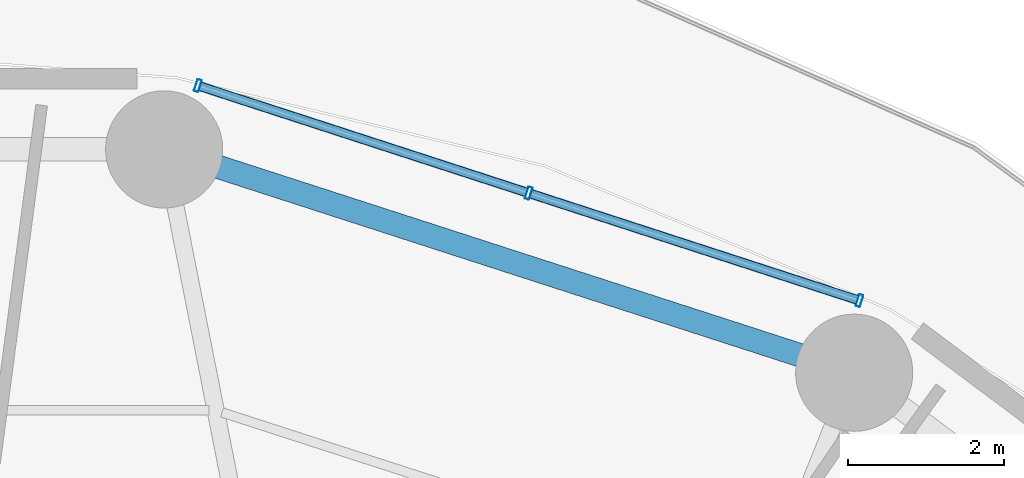
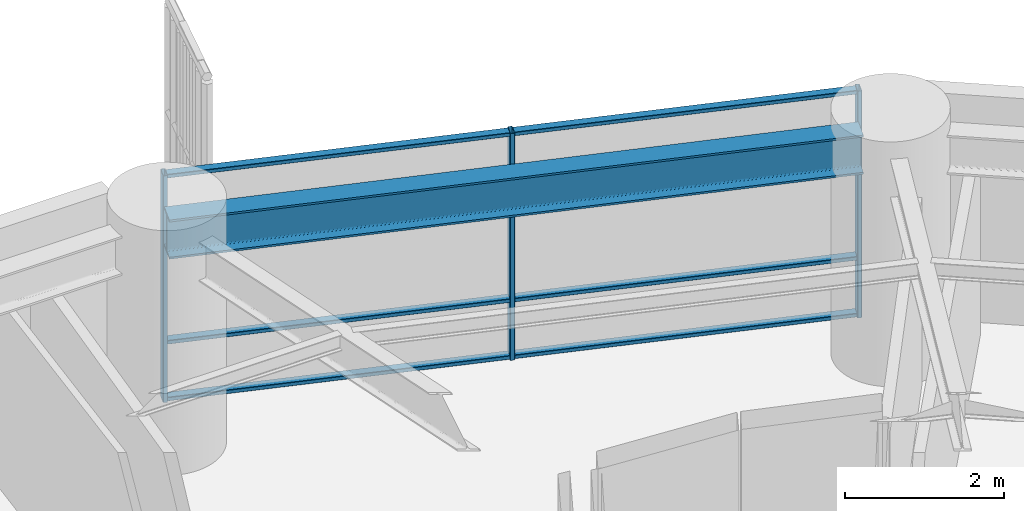
# One storey, part 21 of 32: 9 members, 1 beam, 1 element without a shape of its own.
"""IFC4 building model written with IfcOpenShell, lengths in metres."""

from ifc_helpers import new_model, si_unit, direction, frame, origin, origin_2d, place, context, subcontext, project, spatial, hollow_rectangle, i_section, extrude, material, layer, layer_set, material_profile, profile_set, type_object, element, aggregate, save


model = new_model("IFC4")

# Units and contexts
model_context = context("Model", 3, precision=1e-05, world=origin(), true_north=direction((0.0, 1.0)))
body_context = subcontext(model_context, "Body", "Model", "MODEL_VIEW")
ifc_project = project(units=[si_unit("LENGTHUNIT", "METRE"), si_unit("AREAUNIT", "SQUARE_METRE"), si_unit("VOLUMEUNIT", "CUBIC_METRE"), si_unit("PLANEANGLEUNIT", "RADIAN"), si_unit("MASSUNIT", "GRAM", prefix="KILO")], contexts=[model_context])

# Site, building, storey
site_placement = place(None, origin())
site = spatial("IfcSite", under=ifc_project, at=site_placement, CompositionType="ELEMENT")
building_placement = place(site_placement, origin())
building = spatial("IfcBuilding", under=site, at=building_placement, Name="Kelanora Arch Commons", CompositionType="ELEMENT")
storey_placement = place(building_placement, frame((0.0, 0.0, 52.5)))
storey = spatial("IfcBuildingStorey", under=building, at=storey_placement, Name="L13", CompositionType="ELEMENT", Elevation=52.5)

# Beam
ifc_material_1 = material(Name="Steel S355", Category="steel")
ifc_material_profile_1 = material_profile(ifc_material_1, i_section(OverallWidth=0.300048828125, OverallDepth=0.60009765625, WebThickness=0.015380859375, FlangeThickness=0.030029296875, FilletRadius=0.027099609375, at=origin_2d()), Name="HEB600")
ifc_profile_set_1 = profile_set([ifc_material_profile_1], Name="Steel S355")
beam_type = type_object("IfcBeamType", Name="BM-SPN-Z1", PredefinedType="SPANDREL", material=ifc_profile_set_1)
beam_placement = place(storey_placement, frame((87.178466796875, 78.970947265625, 3.18994140625), z_axis=(-0.951414770924, 0.307912217469, 0.0), x_axis=(-0.307912217469, -0.951414770924, 0.0)))
element("IfcBeam", 1, at=beam_placement, inside=storey, type_object=beam_type, Name="Perimeter Spandrel Beam BS-06 L13", PredefinedType="SPANDREL", context=body_context, shape_type="SweptSolid", body=[
    extrude(i_section(OverallWidth=0.300048828125, OverallDepth=0.60009765625, WebThickness=0.015380859375, FlangeThickness=0.030029296875, FilletRadius=0.027099609375, at=origin_2d()), origin(), (0.0, 0.0, 1.0), 8.908935546875),
])

# Curtain wall, members
ifc_material_2 = material(Name="Terracotta ceramic-fritted low-E glass and aluminium", Category="masonry")
ifc_layer = layer(ifc_material_2, 0.159912109375)
ifc_layer_set = layer_set([ifc_layer], Name="Terracotta ceramic-fritted low-E glass and aluminium")
curtain_wall_type = type_object("IfcCurtainWallType", Name="CW-SYS-01", PredefinedType="NOTDEFINED", material=ifc_layer_set)
curtain_wall_placement = place(storey_placement, origin())
curtain_wall = element("IfcCurtainWall", 2, at=curtain_wall_placement, inside=storey, type_object=curtain_wall_type, Name="Unitised Curtain Wall L13-B03", PredefinedType="NOTDEFINED")
ifc_material_3 = material(Name="Powder-coated aluminium terracotta", Category="masonry")
ifc_material_profile_2 = material_profile(ifc_material_3, hollow_rectangle(XDim=0.159912109375, YDim=0.06005859375, WallThickness=0.0048828125, InnerFilletRadius=0.0048828125, OuterFilletRadius=0.010009765625, at=origin_2d()), Name="CWM160x60")
ifc_profile_set_2 = profile_set([ifc_material_profile_2], Name="Powder-coated aluminium terracotta")
member_type_1 = type_object("IfcMemberType", Name="CWM-STD", PredefinedType="MULLION", material=ifc_profile_set_2)
member_1_placement = place(storey_placement, frame((87.607666015625, 79.778076171875, 0.0), z_axis=(0.0, 0.0, 1.0), x_axis=(-0.30905758454, -0.951043326793, 0.0)))
member_1 = element("IfcMember", 3, at=member_1_placement, type_object=member_type_1, Name="CW-01 mullion 1", PredefinedType="MULLION", context=body_context, shape_type="SweptSolid", body=[
    extrude(hollow_rectangle(XDim=0.159912109375, YDim=0.06005859375, WallThickness=0.0048828125, InnerFilletRadius=0.0048828125, OuterFilletRadius=0.010009765625, at=origin_2d()), origin(), (0.0, 0.0, 1.0), 3.47509765625),
])
member_2_placement = place(storey_placement, frame((83.37109375, 81.15478515625, 0.0), z_axis=(0.0, 0.0, 1.0), x_axis=(-0.30905758454, -0.951043326793, 0.0)))
member_2 = element("IfcMember", 4, at=member_2_placement, type_object=member_type_1, Name="CW-01 mullion 2", PredefinedType="MULLION", context=body_context, shape_type="SweptSolid", body=[
    extrude(hollow_rectangle(XDim=0.159912109375, YDim=0.06005859375, WallThickness=0.0048828125, InnerFilletRadius=0.0048828125, OuterFilletRadius=0.010009765625, at=origin_2d()), origin(), (0.0, 0.0, 1.0), 3.47509765625),
])
member_3_placement = place(storey_placement, frame((79.134521484375, 82.53173828125, 0.0), z_axis=(0.0, 0.0, 1.0), x_axis=(-0.30905758454, -0.951043326793, 0.0)))
member_3 = element("IfcMember", 5, at=member_3_placement, type_object=member_type_1, Name="CW-01 mullion 3", PredefinedType="MULLION", context=body_context, shape_type="SweptSolid", body=[
    extrude(hollow_rectangle(XDim=0.159912109375, YDim=0.06005859375, WallThickness=0.0048828125, InnerFilletRadius=0.0048828125, OuterFilletRadius=0.010009765625, at=origin_2d()), origin(), (0.0, 0.0, 1.0), 3.47509765625),
])
ifc_material_profile_3 = material_profile(ifc_material_3, hollow_rectangle(XDim=0.1201171875, YDim=0.06005859375, WallThickness=0.0048828125, InnerFilletRadius=0.0048828125, OuterFilletRadius=0.010009765625, at=origin_2d()), Name="CWT120x60")
ifc_profile_set_3 = profile_set([ifc_material_profile_3], Name="Powder-coated aluminium terracotta")
member_type_2 = type_object("IfcMemberType", Name="CWT-STD", PredefinedType="USERDEFINED", material=ifc_profile_set_3)
member_4_placement = place(storey_placement, frame((87.5791015625, 79.787353515625, 0.030029296875), z_axis=(-0.951045091182, 0.309052155047, 0.0), x_axis=(-0.309052155047, -0.951045091182, 0.0)))
member_4 = element("IfcMember", 6, at=member_4_placement, type_object=member_type_2, Name="CW-01 transom 1.1", ObjectType="TRANSOM", PredefinedType="USERDEFINED", context=body_context, shape_type="SweptSolid", body=[
    extrude(hollow_rectangle(XDim=0.1201171875, YDim=0.06005859375, WallThickness=0.0048828125, InnerFilletRadius=0.0048828125, OuterFilletRadius=0.010009765625, at=origin_2d()), origin(), (0.0, 0.0, 1.0), 4.39453125),
])
member_5_placement = place(storey_placement, frame((87.5791015625, 79.787353515625, 0.89990234375), z_axis=(-0.951045091182, 0.309052155047, 0.0), x_axis=(-0.309052155047, -0.951045091182, 0.0)))
member_5 = element("IfcMember", 7, at=member_5_placement, type_object=member_type_2, Name="CW-01 transom 1.2", ObjectType="TRANSOM", PredefinedType="USERDEFINED", context=body_context, shape_type="SweptSolid", body=[
    extrude(hollow_rectangle(XDim=0.1201171875, YDim=0.06005859375, WallThickness=0.0048828125, InnerFilletRadius=0.0048828125, OuterFilletRadius=0.010009765625, at=origin_2d()), origin(), (0.0, 0.0, 1.0), 4.39453125),
])
member_6_placement = place(storey_placement, frame((87.5791015625, 79.787353515625, 3.445068359375), z_axis=(-0.951045091182, 0.309052155047, 0.0), x_axis=(-0.309052155047, -0.951045091182, 0.0)))
member_6 = element("IfcMember", 8, at=member_6_placement, type_object=member_type_2, Name="CW-01 transom 1.3", ObjectType="TRANSOM", PredefinedType="USERDEFINED", context=body_context, shape_type="SweptSolid", body=[
    extrude(hollow_rectangle(XDim=0.1201171875, YDim=0.06005859375, WallThickness=0.0048828125, InnerFilletRadius=0.0048828125, OuterFilletRadius=0.010009765625, at=origin_2d()), origin(), (0.0, 0.0, 1.0), 4.39453125),
])
member_7_placement = place(storey_placement, frame((83.342529296875, 81.1640625, 0.030029296875), z_axis=(-0.951028761285, 0.309102402464, 0.0), x_axis=(-0.309102402464, -0.951028761285, 0.0)))
member_7 = element("IfcMember", 9, at=member_7_placement, type_object=member_type_2, Name="CW-01 transom 2.1", ObjectType="TRANSOM", PredefinedType="USERDEFINED", context=body_context, shape_type="SweptSolid", body=[
    extrude(hollow_rectangle(XDim=0.1201171875, YDim=0.06005859375, WallThickness=0.0048828125, InnerFilletRadius=0.0048828125, OuterFilletRadius=0.010009765625, at=origin_2d()), origin(), (0.0, 0.0, 1.0), 4.394775390625),
])
member_8_placement = place(storey_placement, frame((83.342529296875, 81.1640625, 0.89990234375), z_axis=(-0.951028761285, 0.309102402464, 0.0), x_axis=(-0.309102402464, -0.951028761285, 0.0)))
member_8 = element("IfcMember", 10, at=member_8_placement, type_object=member_type_2, Name="CW-01 transom 2.2", ObjectType="TRANSOM", PredefinedType="USERDEFINED", context=body_context, shape_type="SweptSolid", body=[
    extrude(hollow_rectangle(XDim=0.1201171875, YDim=0.06005859375, WallThickness=0.0048828125, InnerFilletRadius=0.0048828125, OuterFilletRadius=0.010009765625, at=origin_2d()), origin(), (0.0, 0.0, 1.0), 4.394775390625),
])
member_9_placement = place(storey_placement, frame((83.342529296875, 81.1640625, 3.445068359375), z_axis=(-0.951028761285, 0.309102402464, 0.0), x_axis=(-0.309102402464, -0.951028761285, 0.0)))
member_9 = element("IfcMember", 11, at=member_9_placement, type_object=member_type_2, Name="CW-01 transom 2.3", ObjectType="TRANSOM", PredefinedType="USERDEFINED", context=body_context, shape_type="SweptSolid", body=[
    extrude(hollow_rectangle(XDim=0.1201171875, YDim=0.06005859375, WallThickness=0.0048828125, InnerFilletRadius=0.0048828125, OuterFilletRadius=0.010009765625, at=origin_2d()), origin(), (0.0, 0.0, 1.0), 4.394775390625),
])
aggregate(curtain_wall, [member_1, member_2, member_3, member_4, member_5, member_6, member_7, member_8, member_9])

save(model, "model.ifc")
